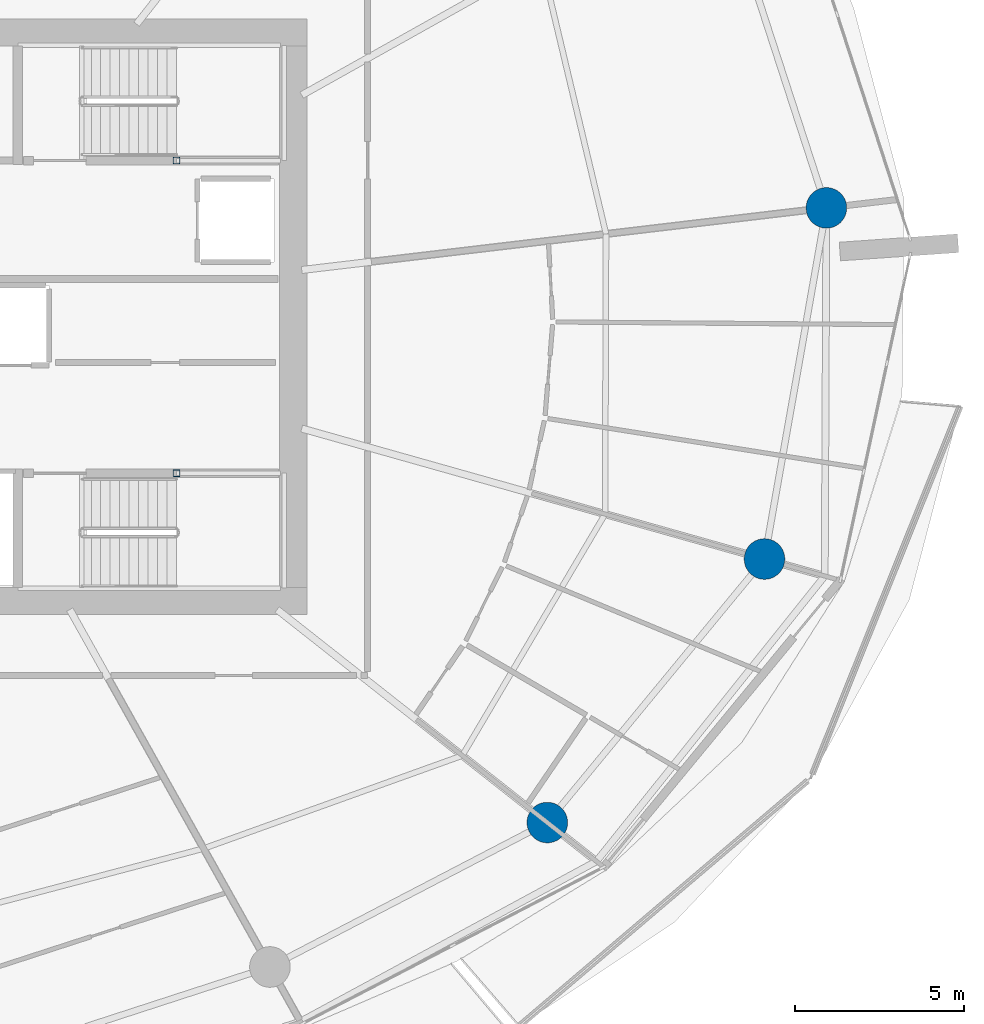
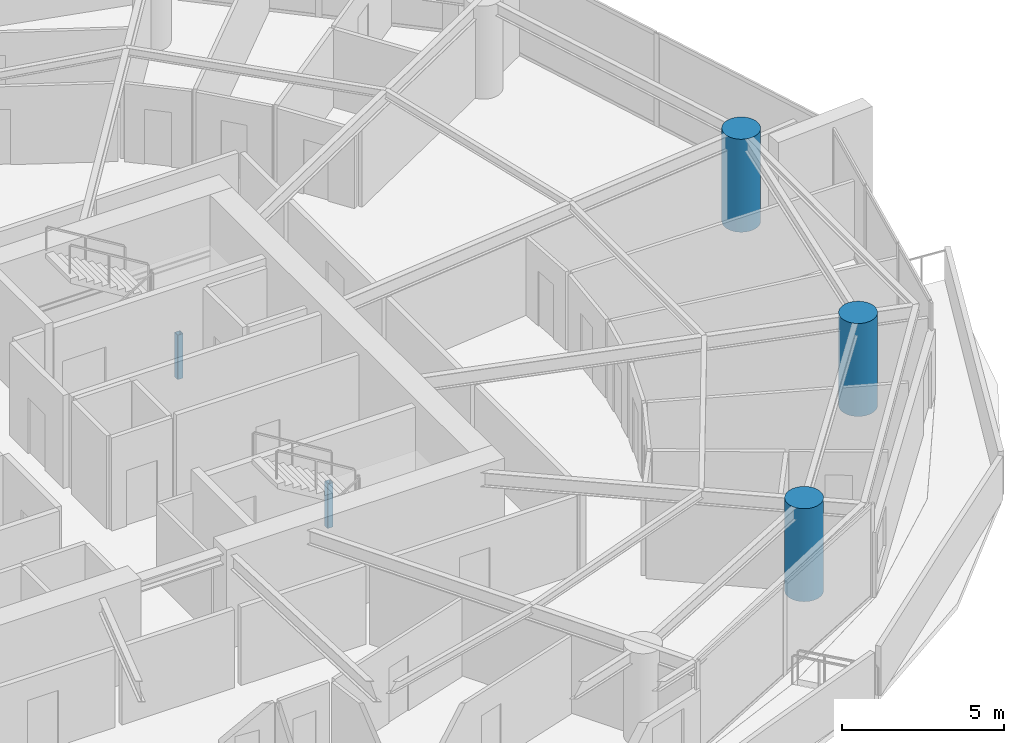
# One storey, part 3 of 23: 5 columns.
"""IFC4 building model written with IfcOpenShell, lengths in metres."""

from ifc_helpers import new_model, si_unit, direction, frame, origin, origin_2d, place, context, subcontext, project, spatial, hollow_rectangle, circle, extrude, material, material_profile, profile_set, type_object, element, save


model = new_model("IFC4")

# Units and contexts
model_context = context("Model", 3, precision=1e-05, world=origin(), true_north=direction((0.0, 1.0)))
body_context = subcontext(model_context, "Body", "Model", "MODEL_VIEW")
ifc_project = project(units=[si_unit("LENGTHUNIT", "METRE"), si_unit("AREAUNIT", "SQUARE_METRE"), si_unit("VOLUMEUNIT", "CUBIC_METRE"), si_unit("PLANEANGLEUNIT", "RADIAN"), si_unit("MASSUNIT", "GRAM", prefix="KILO")], contexts=[model_context])

# Site, building, storey
site_placement = place(None, origin())
site = spatial("IfcSite", under=ifc_project, at=site_placement, CompositionType="ELEMENT")
building_placement = place(site_placement, origin())
building = spatial("IfcBuilding", under=site, at=building_placement, Name="Kazma Halo Residences", CompositionType="ELEMENT")
storey_placement = place(building_placement, frame((0.0, 0.0, 97.64990234375)))
storey = spatial("IfcBuildingStorey", under=building, at=storey_placement, Name="L24", CompositionType="ELEMENT", Elevation=97.64990234375)

# Columns
ifc_material_1 = material(Name="Steel S355", Category="steel")
ifc_material_profile_1 = material_profile(ifc_material_1, hollow_rectangle(XDim=0.199951171875, YDim=0.199951171875, WallThickness=0.010009765625, InnerFilletRadius=0.010009765625, OuterFilletRadius=0.02001953125, at=origin_2d()), Name="SHS200x200x10")
ifc_profile_set_1 = profile_set([ifc_material_profile_1], Name="Steel S355")
column_type_1 = type_object("IfcColumnType", Name="COL-LP-SHS200", PredefinedType="COLUMN", material=ifc_profile_set_1)
for number, where, z_axis, x_axis, name in (
    (1, (56.0, 46.6201171875, 0.0), (0.0, 0.0, 1.0), (1.0, 0.0, 0.0), "L24 ST-02 landing pilaster 1"),
    (2, (56.0, 37.3798828125, 0.0), (0.0, 0.0, 1.0), (1.0, 0.0, 0.0), "L24 ST-03 landing pilaster 1"),
):
    element("IfcColumn", number, at=place(storey_placement, frame(where, z_axis=z_axis, x_axis=x_axis)), inside=storey, type_object=column_type_1, Name=name, PredefinedType="COLUMN", context=body_context, shape_type="SweptSolid", body=[
        extrude(hollow_rectangle(XDim=0.199951171875, YDim=0.199951171875, WallThickness=0.010009765625, InnerFilletRadius=0.010009765625, OuterFilletRadius=0.02001953125, at=origin_2d()), origin(), (0.0, 0.0, 1.0), 1.670166015625),
    ])
ifc_material_2 = material(Name="Concrete C80/95", Category="concrete")
ifc_material_profile_2 = material_profile(ifc_material_2, circle(Radius=0.60009765625, at=origin_2d()), Name="CIRC1200")
ifc_profile_set_2 = profile_set([ifc_material_profile_2], Name="Concrete C80/95")
column_type_2 = type_object("IfcColumnType", Name="COL-PERIM-1200", PredefinedType="COLUMN", material=ifc_profile_set_2)
for number, where, z_axis, x_axis, name in (
    (3, (66.9580078125, 27.0546875, 0.0), (0.0, 0.0, 1.0), (1.0, 0.0, 0.0), "L24 perimeter ring column P14"),
    (4, (73.376708984375, 34.843017578125, 0.0), (0.0, 0.0, 1.0), (1.0, 0.0, 0.0), "L24 perimeter ring column P15"),
    (5, (75.20654296875, 45.22021484375, 0.0), (0.0, 0.0, 1.0), (1.0, 0.0, 0.0), "L24 perimeter ring column P16"),
):
    element("IfcColumn", number, at=place(storey_placement, frame(where, z_axis=z_axis, x_axis=x_axis)), inside=storey, type_object=column_type_2, Name=name, PredefinedType="COLUMN", context=body_context, shape_type="SweptSolid", body=[
        extrude(circle(Radius=0.60009765625, at=origin_2d()), origin(), (0.0, 0.0, 1.0), 3.5),
    ])

save(model, "model.ifc")
